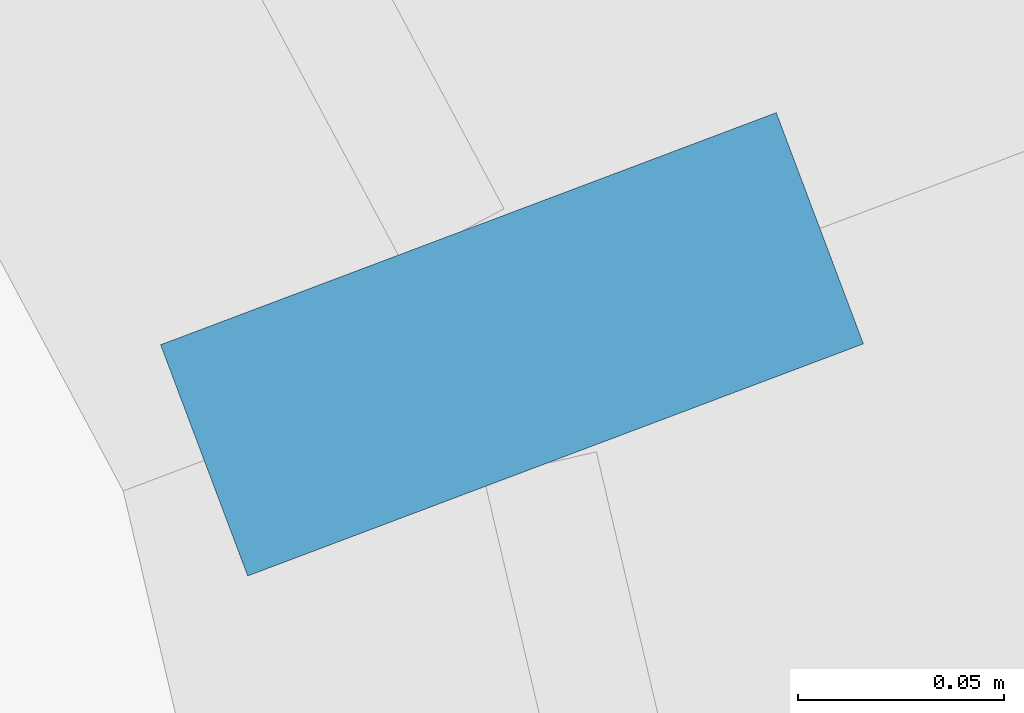
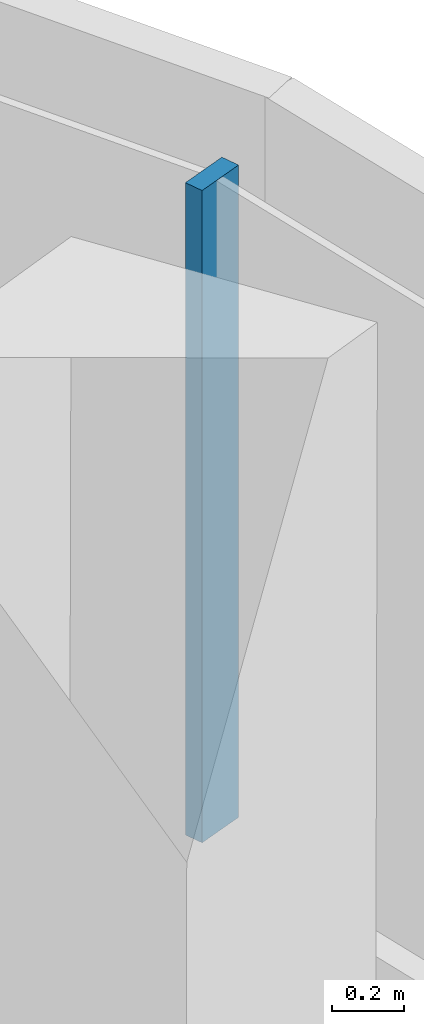
# One storey, part 9 of 33: 1 member, 1 element without a shape of its own.
"""IFC4 building model written with IfcOpenShell, lengths in metres."""

from ifc_helpers import new_model, si_unit, direction, frame, origin, origin_2d, place, context, subcontext, project, spatial, rectangle, extrude, material, layer, layer_set, material_profile, profile_set, type_object, element, aggregate, save


model = new_model("IFC4")

# Units and contexts
model_context = context("Model", 3, precision=1e-05, world=origin(), true_north=direction((0.0, 1.0)))
body_context = subcontext(model_context, "Body", "Model", "MODEL_VIEW")
ifc_project = project(units=[si_unit("LENGTHUNIT", "METRE"), si_unit("AREAUNIT", "SQUARE_METRE"), si_unit("VOLUMEUNIT", "CUBIC_METRE"), si_unit("PLANEANGLEUNIT", "RADIAN"), si_unit("MASSUNIT", "GRAM", prefix="KILO")], contexts=[model_context])

# Site, building, storey
site_placement = place(None, origin())
site = spatial("IfcSite", under=ifc_project, at=site_placement, CompositionType="ELEMENT")
building_placement = place(site_placement, origin())
building = spatial("IfcBuilding", under=site, at=building_placement, Name="Tamarind Cross Interchange Tower", CompositionType="ELEMENT")
storey_placement = place(building_placement, frame((0.0, 0.0, 136.75)))
storey = spatial("IfcBuildingStorey", under=building, at=storey_placement, Name="L33", CompositionType="ELEMENT", Elevation=136.75)

# Curtain wall, member
ifc_material = material(Name="Aluminium 6063-T6", Category="aluminium")
ifc_layer = layer(ifc_material, 0.159912109375)
ifc_layer_set = layer_set([ifc_layer], Name="Aluminium 6063-T6")
curtain_wall_type = type_object("IfcCurtainWallType", Name="Office curtain wall, 9.0 m bays", PredefinedType="NOTDEFINED", material=ifc_layer_set)
curtain_wall_placement = place(storey_placement, origin())
curtain_wall = element("IfcCurtainWall", 1, at=curtain_wall_placement, inside=storey, type_object=curtain_wall_type, Name="CWS-L33-09", PredefinedType="NOTDEFINED")
ifc_material_profile = material_profile(ifc_material, rectangle(XDim=0.06005859375, YDim=0.159912109375, at=origin_2d()), Name="Mullion CW1")
ifc_profile_set = profile_set([ifc_material_profile], Name="Aluminium 6063-T6")
member_type = type_object("IfcMemberType", Name="Mullion CW1", PredefinedType="MULLION", material=ifc_profile_set)
member_placement = place(storey_placement, frame((18.028076171875, -41.222900390625, 1.39990234375), z_axis=(0.0, 0.0, 1.0), x_axis=(-0.352708617044, 0.93573320528, 0.0)))
member = element("IfcMember", 2, at=member_placement, type_object=member_type, Name="CWM-L33-09-00", PredefinedType="MULLION", context=body_context, shape_type="SweptSolid", body=[
    extrude(rectangle(XDim=0.06005859375, YDim=0.159912109375, at=origin_2d()), origin(), (0.0, 0.0, 1.0), 2.210205078125),
])
aggregate(curtain_wall, [member])

save(model, "model.ifc")
